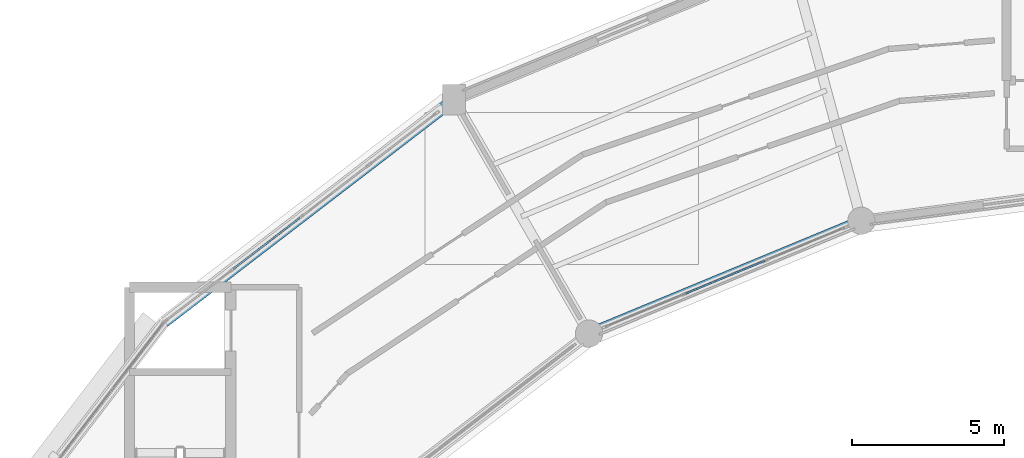
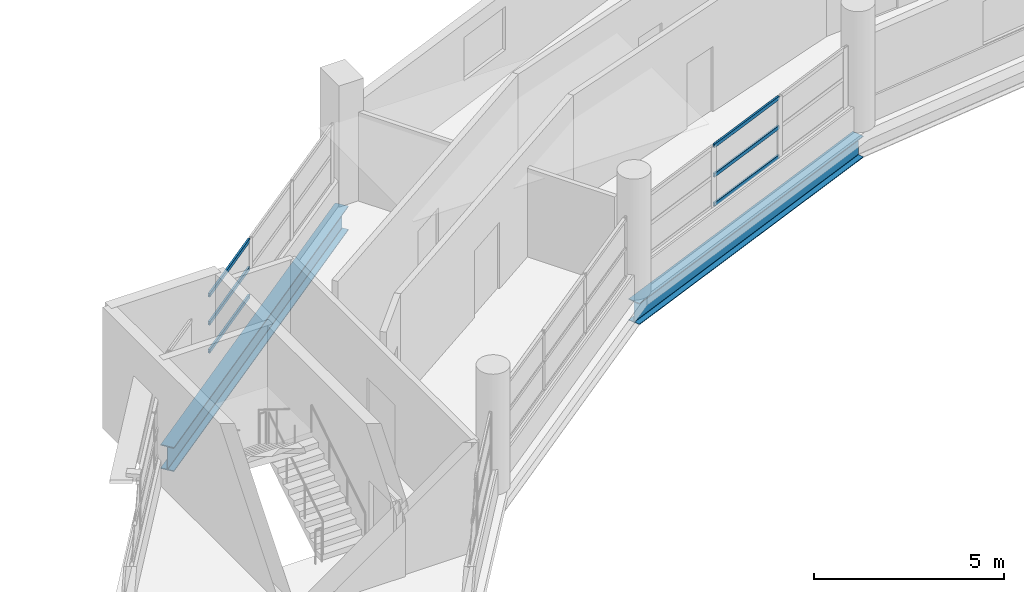
# One storey, part 45 of 121: 6 members, 2 beams, 2 elements without a shape of their own.
"""IFC4 building model written with IfcOpenShell, lengths in metres."""

import ifcopenshell
import ifcopenshell.guid

model = None  # the IFC model being written
_history = None  # IfcOwnerHistory: only IFC2X3 demands one
_inside = {}  # id of a spatial element -> (the spatial element, [elements in it])
_under = {}  # id of a project, library or spatial element -> (it, [spatial elements below it])
_declared = {}  # id of a project -> (the project, [libraries it declares])
_typed = {}  # id of a type object -> (the type object, [elements of that type])
_made_of = {}  # id of a material, layer set ... -> (it, [elements and type objects made of it])


def new_model(schema):
    """Start an empty IFC model of exactly this schema.

    Asked for "IFC4X3", IfcOpenShell would pick the latest addendum, in which some entities
    have other attributes; the version numbers below select the first issue.
    IFC2X3 requires an IfcOwnerHistory on every rooted entity: one is made here for all.
    """
    global model, _history
    if schema == "IFC4X3":
        model = ifcopenshell.file(schema_version=(4, 3, 0, 0))
    else:
        model = ifcopenshell.file(schema=schema)
    _inside.clear()
    _under.clear()
    _declared.clear()
    _typed.clear()
    _made_of.clear()
    _history = None
    if model.schema == "IFC2X3":
        org = make("IfcOrganization", Name="unknown")
        user = make(
            "IfcPersonAndOrganization",
            ThePerson=make("IfcPerson", FamilyName="unknown"),
            TheOrganization=org,
        )
        app = make(
            "IfcApplication",
            ApplicationDeveloper=org,
            Version="unknown",
            ApplicationFullName="unknown",
            ApplicationIdentifier="unknown",
        )
        _history = make(
            "IfcOwnerHistory",
            OwningUser=user,
            OwningApplication=app,
            ChangeAction="ADDED",
            CreationDate=0,
        )
    return model


def make(cls, **values):
    """One entity of the class cls with the attributes given. An attribute that is None is left unset."""
    return model.create_entity(
        cls, **{name: value for name, value in values.items() if value is not None}
    )


def rooted(cls, **values):
    """An entity with a GlobalId (a new one), such as an element, a storey or a relation."""
    return make(cls, GlobalId=ifcopenshell.guid.new(), OwnerHistory=_history, **values)


def si_unit(unit_type, name, prefix=None):
    """IfcSIUnit, for example si_unit("LENGTHUNIT", "METRE", prefix="MILLI")."""
    return make("IfcSIUnit", UnitType=unit_type, Prefix=prefix, Name=name)


def assignment(units):
    """IfcUnitAssignment: the units of a project."""
    return None if units is None else make("IfcUnitAssignment", Units=units)


def point(xyz):
    """IfcCartesianPoint."""
    return None if xyz is None else make("IfcCartesianPoint", Coordinates=xyz)


def direction(xyz):
    """IfcDirection."""
    return None if xyz is None else make("IfcDirection", DirectionRatios=xyz)


def frame(location, z_axis=None, x_axis=None):
    """IfcAxis2Placement3D, a coordinate frame: its origin and axes. An axis left out is left unset."""
    return make(
        "IfcAxis2Placement3D",
        Location=point(location),
        Axis=direction(z_axis),
        RefDirection=direction(x_axis),
    )


def frame_2d(location, x_axis=None):
    """IfcAxis2Placement2D, a coordinate frame in the plane: its origin and x axis."""
    return make(
        "IfcAxis2Placement2D", Location=point(location), RefDirection=direction(x_axis)
    )


def origin():
    """The frame at (0, 0, 0) with its axes left unset."""
    return frame((0.0, 0.0, 0.0))


def origin_2d():
    """The frame at (0, 0) in the plane with its x axis left unset."""
    return frame_2d((0.0, 0.0))


def place(relative_to, where):
    """IfcLocalPlacement: puts the frame where relative to a parent placement (None: the world)."""
    return make(
        "IfcLocalPlacement", PlacementRelTo=relative_to, RelativePlacement=where
    )


def context(
    kind, dimensions, precision=None, world=None, true_north=None, identifier=None
):
    """IfcGeometricRepresentationContext, for example the 3D "Model" context."""
    return make(
        "IfcGeometricRepresentationContext",
        ContextIdentifier=identifier,
        ContextType=kind,
        CoordinateSpaceDimension=dimensions,
        Precision=precision,
        WorldCoordinateSystem=world,
        TrueNorth=true_north,
    )


def subcontext(parent, identifier, kind, view, scale=None):
    """IfcGeometricRepresentationSubContext, for example "Body" below "Model"."""
    return make(
        "IfcGeometricRepresentationSubContext",
        ContextIdentifier=identifier,
        ContextType=kind,
        ParentContext=parent,
        TargetScale=scale,
        TargetView=view,
    )


def project(units=None, contexts=None):
    """IfcProject with its units and contexts."""
    return rooted(
        "IfcProject",
        Name="project",
        RepresentationContexts=contexts,
        UnitsInContext=assignment(units),
    )


def spatial(cls, under=None, at=None, **own):
    """A site, building, storey or space (cls), placed at a placement, below another one or the project."""
    s = rooted(cls, ObjectPlacement=at, **own)
    if under is not None:
        _under.setdefault(under.id(), (under, []))[1].append(s)
    return s


def profile(cls, at=None, kind="AREA", **sizes):
    """A parametric profile (cls). Its sizes go by their IFC names, for example OverallWidth=200.0."""
    return make(cls, ProfileType=kind, Position=at, **sizes)


def hollow_rectangle(**sizes):
    """IfcRectangleHollowProfileDef."""
    return profile("IfcRectangleHollowProfileDef", **sizes)


def i_section(**sizes):
    """IfcIShapeProfileDef."""
    return profile("IfcIShapeProfileDef", **sizes)


def extrude(swept, where, along, depth):
    """IfcExtrudedAreaSolid: the profile swept, set in the frame where, extruded along a direction by depth."""
    return make(
        "IfcExtrudedAreaSolid",
        SweptArea=swept,
        Position=where,
        ExtrudedDirection=direction(along),
        Depth=depth,
    )


def shape(context_of_items, identifier, shape_type, items):
    """IfcShapeRepresentation: the items that make up one representation, for example the "Body"."""
    return make(
        "IfcShapeRepresentation",
        ContextOfItems=context_of_items,
        RepresentationIdentifier=identifier,
        RepresentationType=shape_type,
        Items=items,
    )


def material(Name=None, Category=None):
    """IfcMaterial."""
    return make("IfcMaterial", Name=Name, Category=Category)


def layer(
    of_material, thickness, ventilated=None, Name=None, Category=None, Priority=None
):
    """IfcMaterialLayer: one layer of a wall or slab, of a material (None: an air gap)."""
    return make(
        "IfcMaterialLayer",
        Material=of_material,
        LayerThickness=thickness,
        IsVentilated=ventilated,
        Name=Name,
        Category=Category,
        Priority=Priority,
    )


def layer_set(layers, Name=None):
    """IfcMaterialLayerSet."""
    return make("IfcMaterialLayerSet", MaterialLayers=layers, LayerSetName=Name)


def material_profile(
    of_material, cross_section, Name=None, Category=None, Priority=None
):
    """IfcMaterialProfile: a cross section and its material."""
    return make(
        "IfcMaterialProfile",
        Name=Name,
        Material=of_material,
        Profile=cross_section,
        Priority=Priority,
        Category=Category,
    )


def profile_set(profiles, Name=None, composite=None):
    """IfcMaterialProfileSet."""
    return make(
        "IfcMaterialProfileSet",
        Name=Name,
        MaterialProfiles=profiles,
        CompositeProfile=composite,
    )


def made_of(thing, what):
    """Note that an element or type object is made of a material, layer set ...; save() writes the relation."""
    if what is not None:
        _made_of.setdefault(what.id(), (what, []))[1].append(thing)
    return thing


def type_object(cls, material=None, **own):
    """A type object (cls), such as IfcWallType, which elements share."""
    return made_of(rooted(cls, **own), material)


def element(
    cls,
    number,
    at=None,
    inside=None,
    cuts=None,
    type_object=None,
    material=None,
    context=None,
    identifier="Body",
    shape_type=None,
    held_by="IfcProductDefinitionShape",
    body=None,
    shapes=None,
    **own,
):
    """One element of the class cls, such as IfcWall. Its Tag is "e" and its number.

    at: its placement. inside: the storey or other place that contains it. cuts: it is an
    opening in that element (IfcRelVoidsElement). A single representation is given by context,
    identifier, shape_type and body (its items); several are given by shapes. held_by: the class
    of the entity that holds the representations. save() writes the other relations.
    """
    e = rooted(cls, Tag="e%d" % number, ObjectPlacement=at, **own)
    if body is not None:
        shapes = [shape(context, identifier, shape_type, body)]
    if shapes is not None:
        e.Representation = make(held_by, Representations=shapes)
    if inside is not None:
        _inside.setdefault(inside.id(), (inside, []))[1].append(e)
    if cuts is not None:
        rooted(
            "IfcRelVoidsElement", RelatingBuildingElement=cuts, RelatedOpeningElement=e
        )
    if type_object is not None:
        _typed.setdefault(type_object.id(), (type_object, []))[1].append(e)
    return made_of(e, material)


def aggregate(whole, parts):
    """IfcRelAggregates: a whole, such as a stair, and the parts it consists of."""
    return rooted("IfcRelAggregates", RelatingObject=whole, RelatedObjects=parts)


def save(model, path):
    """Write the relations noted so far, then the file.

    IfcRelAggregates (storeys below a building ...), IfcRelContainedInSpatialStructure (elements
    in a storey), IfcRelDefinesByType, IfcRelAssociatesMaterial and IfcRelDeclares: one each for
    every whole, place, type object, material and project.
    """
    for whole, parts in _under.values():
        aggregate(whole, parts)
    for where, things in _inside.values():
        rooted(
            "IfcRelContainedInSpatialStructure",
            RelatedElements=things,
            RelatingStructure=where,
        )
    for kind, things in _typed.values():
        rooted("IfcRelDefinesByType", RelatedObjects=things, RelatingType=kind)
    for what, things in _made_of.values():
        rooted("IfcRelAssociatesMaterial", RelatedObjects=things, RelatingMaterial=what)
    for by, libraries in _declared.values():
        rooted("IfcRelDeclares", RelatingContext=by, RelatedDefinitions=libraries)
    model.write(path)


model = new_model("IFC4")

# Units and contexts
model_context = context("Model", 3, precision=1e-05, world=origin(), true_north=direction((0.0, 1.0)))
body_context = subcontext(model_context, "Body", "Model", "MODEL_VIEW")
ifc_project = project(units=[si_unit("LENGTHUNIT", "METRE"), si_unit("AREAUNIT", "SQUARE_METRE"), si_unit("VOLUMEUNIT", "CUBIC_METRE"), si_unit("PLANEANGLEUNIT", "RADIAN"), si_unit("MASSUNIT", "GRAM", prefix="KILO")], contexts=[model_context])

# Site, building, storey
site_placement = place(None, origin())
site = spatial("IfcSite", under=ifc_project, at=site_placement, CompositionType="ELEMENT")
building_placement = place(site_placement, origin())
building = spatial("IfcBuilding", under=site, at=building_placement, Name="Vespera Passage Community Centre", CompositionType="ELEMENT")
storey_placement = place(building_placement, frame((0.0, 0.0, 8.699951171875)))
storey = spatial("IfcBuildingStorey", under=building, at=storey_placement, Name="L02", CompositionType="ELEMENT", Elevation=8.699951171875)

# Beams
ifc_material_1 = material(Name="Steel ASTM A992 Grade 50", Category="steel")
ifc_material_profile_1 = material_profile(ifc_material_1, i_section(OverallWidth=0.3544921875, OverallDepth=0.695556640625, WebThickness=0.015380859375, FlangeThickness=0.024658203125, FilletRadius=0.01513671875, at=origin_2d()), Name="W27X146")
ifc_profile_set_1 = profile_set([ifc_material_profile_1], Name="Steel ASTM A992 Grade 50")
beam_type_1 = type_object("IfcBeamType", Name="BM-SP-W27X146E", PredefinedType="SPANDREL", material=ifc_profile_set_1)
beam_1_placement = place(storey_placement, frame((68.371826171875, 101.432373046875, -0.687744140625), z_axis=(-0.923878947685, -0.382684844258, 0.0), x_axis=(0.382684844258, -0.923878947685, 0.0)))
element("IfcBeam", 1, at=beam_1_placement, inside=storey, type_object=beam_type_1, Name="V4 L02 Inner Spandrel 7", PredefinedType="SPANDREL", context=body_context, shape_type="SweptSolid", body=[
    extrude(i_section(OverallWidth=0.3544921875, OverallDepth=0.695556640625, WebThickness=0.015380859375, FlangeThickness=0.024658203125, FilletRadius=0.01513671875, at=origin_2d()), origin(), (0.0, 0.0, 1.0), 9.711181640625),
])
ifc_material_2 = material(Name="Steel ASTM A992 Grade 50", Category="steel")
ifc_material_profile_2 = material_profile(ifc_material_2, i_section(OverallWidth=0.382080078125, OverallDepth=0.779296875, WebThickness=0.01806640625, FlangeThickness=0.030029296875, FilletRadius=0.0166015625, at=origin_2d()), Name="W30X191")
ifc_profile_set_2 = profile_set([ifc_material_profile_2], Name="Steel ASTM A992 Grade 50")
beam_type_2 = type_object("IfcBeamType", Name="BM-SP-W30X191E", PredefinedType="SPANDREL", material=ifc_profile_set_2)
beam_2_placement = place(storey_placement, frame((54.949951171875, 105.423828125, -0.729736328125), z_axis=(-0.793351934501, -0.608763261066, 0.0), x_axis=(0.608763261066, -0.793351934501, 0.0)))
element("IfcBeam", 2, at=beam_2_placement, inside=storey, type_object=beam_type_2, Name="V4 L02 Outer Spandrel 8", PredefinedType="SPANDREL", context=body_context, shape_type="SweptSolid", body=[
    extrude(i_section(OverallWidth=0.382080078125, OverallDepth=0.779296875, WebThickness=0.01806640625, FlangeThickness=0.030029296875, FilletRadius=0.0166015625, at=origin_2d()), origin(), (0.0, 0.0, 1.0), 12.034423828125),
])

# Curtain wall, members
ifc_material_3 = material(Name="Anodized aluminium 6063-T6", Category="aluminium")
ifc_layer_1 = layer(ifc_material_3, 0.159912109375)
ifc_layer_set_1 = layer_set([ifc_layer_1], Name="Anodized aluminium 6063-T6")
curtain_wall_type_1 = type_object("IfcCurtainWallType", Name="CW-25E", PredefinedType="NOTDEFINED", material=ifc_layer_set_1)
curtain_wall_1_placement = place(storey_placement, origin())
curtain_wall_1 = element("IfcCurtainWall", 3, at=curtain_wall_1_placement, inside=storey, type_object=curtain_wall_type_1, Name="V4 L02 Inner Court Curtain Wall 7", PredefinedType="NOTDEFINED")
ifc_material_4 = material(Name="Anodized aluminium 6063-T6", Category="aluminium")
ifc_material_profile_3 = material_profile(ifc_material_4, hollow_rectangle(XDim=0.06005859375, YDim=0.1201171875, WallThickness=0.00390625, InnerFilletRadius=0.001953125, OuterFilletRadius=0.00390625, at=origin_2d()), Name="ALU120X60X4")
ifc_profile_set_3 = profile_set([ifc_material_profile_3], Name="Anodized aluminium 6063-T6")
member_type = type_object("IfcMemberType", Name="MB-CWT-120E", PredefinedType="USERDEFINED", material=ifc_profile_set_3)
member_1_placement = place(storey_placement, frame((65.180419921875, 100.1103515625, 0.85009765625), z_axis=(-0.923889408399, -0.382659588994, 0.0), x_axis=(0.382659588994, -0.923889408399, 0.0)))
member_1 = element("IfcMember", 4, at=member_1_placement, type_object=member_type, Name="CW-25E transom 2.1", ObjectType="TRANSOM", PredefinedType="USERDEFINED", context=body_context, shape_type="SweptSolid", body=[
    extrude(hollow_rectangle(XDim=0.06005859375, YDim=0.1201171875, WallThickness=0.00390625, InnerFilletRadius=0.001953125, OuterFilletRadius=0.00390625, at=origin_2d()), origin(), (0.0, 0.0, 1.0), 2.80224609375),
])
member_2_placement = place(storey_placement, frame((65.180419921875, 100.1103515625, 1.794677734375), z_axis=(-0.923889408399, -0.382659588994, 0.0), x_axis=(0.382659588994, -0.923889408399, 0.0)))
member_2 = element("IfcMember", 5, at=member_2_placement, type_object=member_type, Name="CW-25E transom 2.2", ObjectType="TRANSOM", PredefinedType="USERDEFINED", context=body_context, shape_type="SweptSolid", body=[
    extrude(hollow_rectangle(XDim=0.06005859375, YDim=0.1201171875, WallThickness=0.00390625, InnerFilletRadius=0.001953125, OuterFilletRadius=0.00390625, at=origin_2d()), origin(), (0.0, 0.0, 1.0), 2.80224609375),
])
member_3_placement = place(storey_placement, frame((65.180419921875, 100.1103515625, 2.739501953125), z_axis=(-0.923889408399, -0.382659588994, 0.0), x_axis=(0.382659588994, -0.923889408399, 0.0)))
member_3 = element("IfcMember", 6, at=member_3_placement, type_object=member_type, Name="CW-25E transom 2.3", ObjectType="TRANSOM", PredefinedType="USERDEFINED", context=body_context, shape_type="SweptSolid", body=[
    extrude(hollow_rectangle(XDim=0.06005859375, YDim=0.1201171875, WallThickness=0.00390625, InnerFilletRadius=0.001953125, OuterFilletRadius=0.00390625, at=origin_2d()), origin(), (0.0, 0.0, 1.0), 2.80224609375),
])
aggregate(curtain_wall_1, [member_1, member_2, member_3])

ifc_material_5 = material(Name="Anodized aluminium 6063-T6", Category="aluminium")
ifc_layer_2 = layer(ifc_material_5, 0.159912109375)
ifc_layer_set_2 = layer_set([ifc_layer_2], Name="Anodized aluminium 6063-T6")
curtain_wall_type_2 = type_object("IfcCurtainWallType", Name="CW-29E", PredefinedType="NOTDEFINED", material=ifc_layer_set_2)
curtain_wall_2_placement = place(storey_placement, origin())
curtain_wall_2 = element("IfcCurtainWall", 7, at=curtain_wall_2_placement, inside=storey, type_object=curtain_wall_type_2, Name="V4 L02 Outer Ribbon Curtain Wall 8", PredefinedType="NOTDEFINED")
member_4_placement = place(storey_placement, frame((47.6826171875, 99.847412109375, 0.85009765625), z_axis=(0.793353015375, 0.608761852448, 0.0), x_axis=(-0.608761852448, 0.793353015375, 0.0)))
member_4 = element("IfcMember", 8, at=member_4_placement, type_object=member_type, Name="CW-29E transom 2.1", ObjectType="TRANSOM", PredefinedType="USERDEFINED", context=body_context, shape_type="SweptSolid", body=[
    extrude(hollow_rectangle(XDim=0.06005859375, YDim=0.1201171875, WallThickness=0.00390625, InnerFilletRadius=0.001953125, OuterFilletRadius=0.00390625, at=origin_2d()), origin(), (0.0, 0.0, 1.0), 2.761474609375),
])
member_5_placement = place(storey_placement, frame((47.6826171875, 99.847412109375, 1.7529296875), z_axis=(0.793353015375, 0.608761852448, 0.0), x_axis=(-0.608761852448, 0.793353015375, 0.0)))
member_5 = element("IfcMember", 9, at=member_5_placement, type_object=member_type, Name="CW-29E transom 2.2", ObjectType="TRANSOM", PredefinedType="USERDEFINED", context=body_context, shape_type="SweptSolid", body=[
    extrude(hollow_rectangle(XDim=0.06005859375, YDim=0.1201171875, WallThickness=0.00390625, InnerFilletRadius=0.001953125, OuterFilletRadius=0.00390625, at=origin_2d()), origin(), (0.0, 0.0, 1.0), 2.761474609375),
])
member_6_placement = place(storey_placement, frame((47.6826171875, 99.847412109375, 2.65576171875), z_axis=(0.793353015375, 0.608761852448, 0.0), x_axis=(-0.608761852448, 0.793353015375, 0.0)))
member_6 = element("IfcMember", 10, at=member_6_placement, type_object=member_type, Name="CW-29E transom 2.3", ObjectType="TRANSOM", PredefinedType="USERDEFINED", context=body_context, shape_type="SweptSolid", body=[
    extrude(hollow_rectangle(XDim=0.06005859375, YDim=0.1201171875, WallThickness=0.00390625, InnerFilletRadius=0.001953125, OuterFilletRadius=0.00390625, at=origin_2d()), origin(), (0.0, 0.0, 1.0), 2.761474609375),
])
aggregate(curtain_wall_2, [member_4, member_5, member_6])

save(model, "model.ifc")
